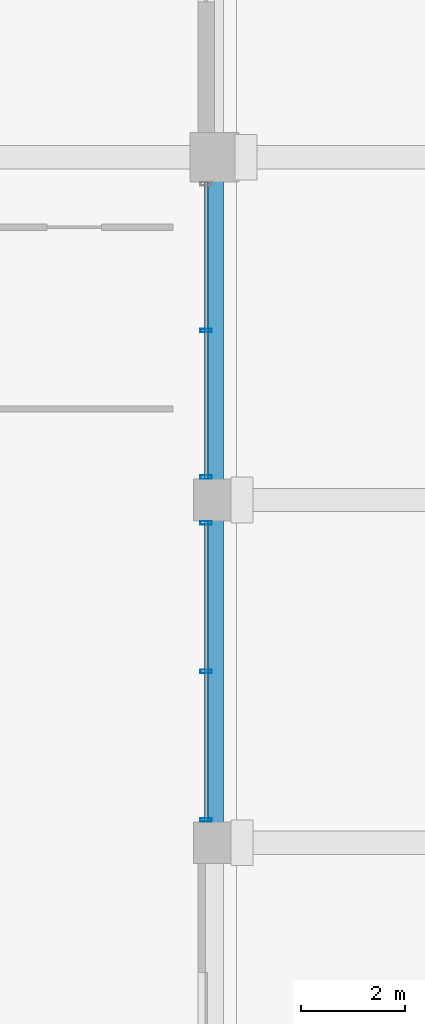
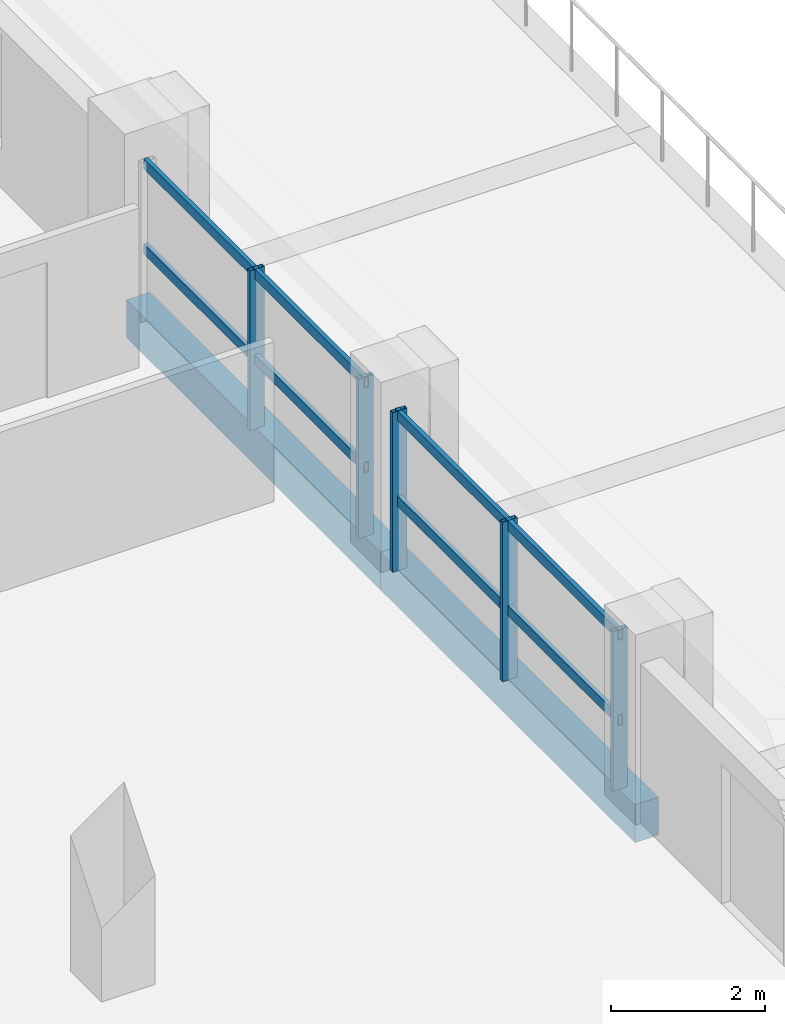
# One storey, part 9 of 22: 9 members, 2 beams, 2 elements without a shape of their own.
"""IFC4 building model written with IfcOpenShell, lengths in metres."""

from ifc_helpers import new_model, si_unit, direction, frame, origin, origin_2d, place, context, subcontext, project, spatial, rectangle, hollow_rectangle, extrude, material, material_profile, profile_set, type_object, element, aggregate, save


model = new_model("IFC4")

# Units and contexts
model_context = context("Model", 3, precision=1e-05, world=origin(), true_north=direction((0.0, 1.0)))
body_context = subcontext(model_context, "Body", "Model", "MODEL_VIEW")
ifc_project = project(units=[si_unit("LENGTHUNIT", "METRE"), si_unit("AREAUNIT", "SQUARE_METRE"), si_unit("VOLUMEUNIT", "CUBIC_METRE"), si_unit("PLANEANGLEUNIT", "RADIAN"), si_unit("MASSUNIT", "GRAM", prefix="KILO")], contexts=[model_context])

# Site, building, storey
site_placement = place(None, origin())
site = spatial("IfcSite", under=ifc_project, at=site_placement, CompositionType="ELEMENT")
building_placement = place(site_placement, origin())
building = spatial("IfcBuilding", under=site, at=building_placement, Name="Akrevak Sports Hall", CompositionType="ELEMENT")
storey_placement = place(building_placement, frame((0.0, 0.0, 40.550048828125)))
storey = spatial("IfcBuildingStorey", under=building, at=storey_placement, Name="L09", CompositionType="ELEMENT", Elevation=40.550048828125)

# Curtain wall, members
ifc_material_1 = material(Name="Anodized Bronze Aluminium & Low-E Glass", Category="aluminium")
curtain_wall_type = type_object("IfcCurtainWallType", Name="ARC-CW-TWR-68x30", PredefinedType="NOTDEFINED", material=ifc_material_1)
curtain_wall_1_placement = place(storey_placement, origin())
curtain_wall_1 = element("IfcCurtainWall", 1, at=curtain_wall_1_placement, inside=storey, type_object=curtain_wall_type, Name="Curtain Wall CW-L09-E13", PredefinedType="NOTDEFINED")
ifc_material_2 = material(Name="Anodized Bronze Aluminium", Category="aluminium")
ifc_material_profile_1 = material_profile(ifc_material_2, hollow_rectangle(XDim=0.06494140625, YDim=0.219970703125, WallThickness=0.00439453125, at=origin_2d()), Name="CWM 65x220", Category="aluminium")
ifc_profile_set_1 = profile_set([ifc_material_profile_1], Name="Anodized Bronze Aluminium")
member_type_1 = type_object("IfcMemberType", Name="ARC-CWM-70x160", PredefinedType="MULLION", material=ifc_profile_set_1)
member_1_placement = place(storey_placement, frame((107.840087890625, 42.43994140625, 0.0), z_axis=(0.0, 0.0, 1.0), x_axis=(0.0, 1.0, 0.0)))
member_1 = element("IfcMember", 2, at=member_1_placement, type_object=member_type_1, Name="Curtain Wall Mullion CW-L09-E13-M1", PredefinedType="MULLION", context=body_context, shape_type="SweptSolid", body=[
    extrude(hollow_rectangle(XDim=0.06494140625, YDim=0.219970703125, WallThickness=0.00439453125, at=origin_2d()), origin(), (0.0, 0.0, 1.0), 2.530029296875),
])
member_2_placement = place(storey_placement, frame((107.840087890625, 45.300048828125, 0.0), z_axis=(0.0, 0.0, 1.0), x_axis=(0.0, 1.0, 0.0)))
member_2 = element("IfcMember", 3, at=member_2_placement, type_object=member_type_1, Name="Curtain Wall Mullion CW-L09-E13-M2", PredefinedType="MULLION", context=body_context, shape_type="SweptSolid", body=[
    extrude(hollow_rectangle(XDim=0.06494140625, YDim=0.219970703125, WallThickness=0.00439453125, at=origin_2d()), origin(), (0.0, 0.0, 1.0), 2.530029296875),
])
member_3_placement = place(storey_placement, frame((107.840087890625, 48.159912109375, 0.0), z_axis=(0.0, 0.0, 1.0), x_axis=(0.0, 1.0, 0.0)))
member_3 = element("IfcMember", 4, at=member_3_placement, type_object=member_type_1, Name="Curtain Wall Mullion CW-L09-E13-M3", PredefinedType="MULLION", context=body_context, shape_type="SweptSolid", body=[
    extrude(hollow_rectangle(XDim=0.06494140625, YDim=0.219970703125, WallThickness=0.00439453125, at=origin_2d()), origin(), (0.0, 0.0, 1.0), 2.530029296875),
])

curtain_wall_2_placement = place(storey_placement, origin())
curtain_wall_2 = element("IfcCurtainWall", 5, at=curtain_wall_2_placement, inside=storey, type_object=curtain_wall_type, Name="Curtain Wall CW-L09-E14", PredefinedType="NOTDEFINED")
member_4_placement = place(storey_placement, frame((107.840087890625, 49.0400390625, 0.0), z_axis=(0.0, 0.0, 1.0), x_axis=(0.0, 1.0, 0.0)))
member_4 = element("IfcMember", 6, at=member_4_placement, type_object=member_type_1, Name="Curtain Wall Mullion CW-L09-E14-M1", PredefinedType="MULLION", context=body_context, shape_type="SweptSolid", body=[
    extrude(hollow_rectangle(XDim=0.06494140625, YDim=0.219970703125, WallThickness=0.00439453125, at=origin_2d()), origin(), (0.0, 0.0, 1.0), 2.530029296875),
])
member_5_placement = place(storey_placement, frame((107.840087890625, 51.862548828125, 0.0), z_axis=(0.0, 0.0, 1.0), x_axis=(0.0, 1.0, 0.0)))
member_5 = element("IfcMember", 7, at=member_5_placement, type_object=member_type_1, Name="Curtain Wall Mullion CW-L09-E14-M2", PredefinedType="MULLION", context=body_context, shape_type="SweptSolid", body=[
    extrude(hollow_rectangle(XDim=0.06494140625, YDim=0.219970703125, WallThickness=0.00439453125, at=origin_2d()), origin(), (0.0, 0.0, 1.0), 2.530029296875),
])

# Member
ifc_material_profile_2 = material_profile(ifc_material_2, hollow_rectangle(XDim=0.06494140625, YDim=0.159912109375, WallThickness=0.00390625, at=origin_2d()), Name="CWT 65x160", Category="aluminium")
ifc_profile_set_2 = profile_set([ifc_material_profile_2], Name="Anodized Bronze Aluminium")
member_type_2 = type_object("IfcMemberType", Name="ARC-CWT-70x130", PredefinedType="USERDEFINED", material=ifc_profile_set_2)
member_6_placement = place(storey_placement, frame((107.840087890625, 42.39990234375, 1.099853515625), z_axis=(0.0, 1.0, 0.0), x_axis=(-1.0, 0.0, 0.0)))
member_6 = element("IfcMember", 8, at=member_6_placement, type_object=member_type_2, Name="Curtain Wall Transom CW-L09-E13-T1", ObjectType="TRANSOM", PredefinedType="USERDEFINED", context=body_context, shape_type="SweptSolid", body=[
    extrude(hollow_rectangle(XDim=0.06494140625, YDim=0.159912109375, WallThickness=0.00390625, at=origin_2d()), origin(), (0.0, 0.0, 1.0), 5.800048828125),
])

member_7_placement = place(storey_placement, frame((107.840087890625, 42.39990234375, 2.449951171875), z_axis=(0.0, 1.0, 0.0), x_axis=(-1.0, 0.0, 0.0)))
member_7 = element("IfcMember", 9, at=member_7_placement, type_object=member_type_2, Name="Curtain Wall Transom CW-L09-E13-T2", ObjectType="TRANSOM", PredefinedType="USERDEFINED", context=body_context, shape_type="SweptSolid", body=[
    extrude(hollow_rectangle(XDim=0.06494140625, YDim=0.159912109375, WallThickness=0.00390625, at=origin_2d()), origin(), (0.0, 0.0, 1.0), 5.800048828125),
])

aggregate(curtain_wall_1, [member_1, member_2, member_3, member_6, member_7])

member_8_placement = place(storey_placement, frame((107.840087890625, 49.0, 1.099853515625), z_axis=(0.0, 1.0, 0.0), x_axis=(-1.0, 0.0, 0.0)))
member_8 = element("IfcMember", 10, at=member_8_placement, type_object=member_type_2, Name="Curtain Wall Transom CW-L09-E14-T1", ObjectType="TRANSOM", PredefinedType="USERDEFINED", context=body_context, shape_type="SweptSolid", body=[
    extrude(hollow_rectangle(XDim=0.06494140625, YDim=0.159912109375, WallThickness=0.00390625, at=origin_2d()), origin(), (0.0, 0.0, 1.0), 5.72509765625),
])

member_9_placement = place(storey_placement, frame((107.840087890625, 49.0, 2.449951171875), z_axis=(0.0, 1.0, 0.0), x_axis=(-1.0, 0.0, 0.0)))
member_9 = element("IfcMember", 11, at=member_9_placement, type_object=member_type_2, Name="Curtain Wall Transom CW-L09-E14-T2", ObjectType="TRANSOM", PredefinedType="USERDEFINED", context=body_context, shape_type="SweptSolid", body=[
    extrude(hollow_rectangle(XDim=0.06494140625, YDim=0.159912109375, WallThickness=0.00390625, at=origin_2d()), origin(), (0.0, 0.0, 1.0), 5.72509765625),
])

aggregate(curtain_wall_2, [member_4, member_5, member_8, member_9])

# Beams
ifc_material_3 = material(Name="Concrete C40/50", Category="concrete")
ifc_material_profile_3 = material_profile(ifc_material_3, rectangle(XDim=0.35009765625, YDim=0.60009765625, at=origin_2d()), Name="BM 350x600", Category="concrete")
ifc_profile_set_3 = profile_set([ifc_material_profile_3], Name="Concrete C40/50")
beam_type = type_object("IfcBeamType", Name="STR-BM-RC350x600", PredefinedType="BEAM", material=ifc_profile_set_3)
beam_1_placement = place(storey_placement, frame((108.0, 42.0, -0.300048828125), z_axis=(0.0, 1.0, 0.0), x_axis=(-1.0, 0.0, 0.0)))
element("IfcBeam", 12, at=beam_1_placement, inside=storey, type_object=beam_type, Name="Girder 15/G-H (L09)", PredefinedType="BEAM", context=body_context, shape_type="SweptSolid", body=[
    extrude(rectangle(XDim=0.35009765625, YDim=0.60009765625, at=origin_2d()), origin(), (0.0, 0.0, 1.0), 6.60009765625),
])
beam_2_placement = place(storey_placement, frame((108.0, 48.60009765625, -0.300048828125), z_axis=(0.0, 1.0, 0.0), x_axis=(-1.0, 0.0, 0.0)))
element("IfcBeam", 13, at=beam_2_placement, inside=storey, type_object=beam_type, Name="Girder 15/H-I (L09)", PredefinedType="BEAM", context=body_context, shape_type="SweptSolid", body=[
    extrude(rectangle(XDim=0.35009765625, YDim=0.60009765625, at=origin_2d()), origin(), (0.0, 0.0, 1.0), 6.599853515625),
])

save(model, "model.ifc")
